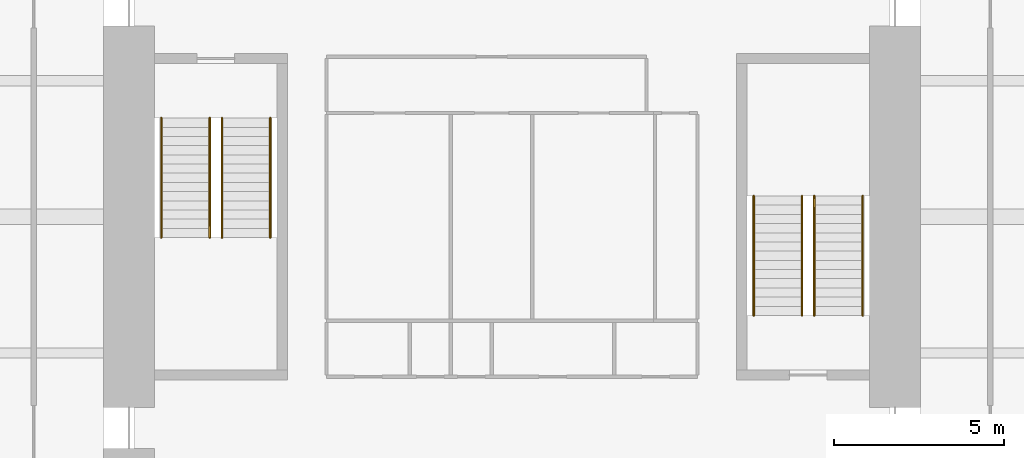
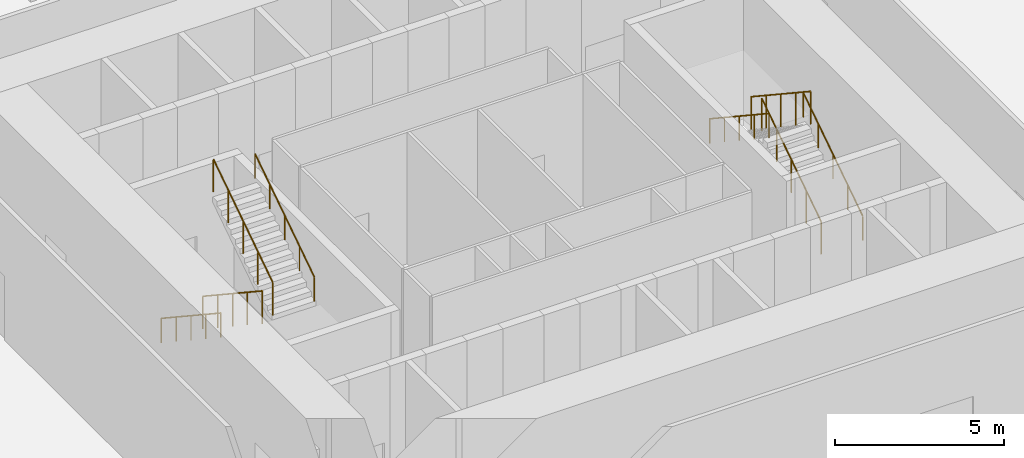
# One storey, part 9 of 9: 8 railings.
"""IFC4 building model written with IfcOpenShell, lengths in metres."""

import ifcopenshell
import ifcopenshell.guid

model = None  # the IFC model being written
_history = None  # IfcOwnerHistory: only IFC2X3 demands one
_inside = {}  # id of a spatial element -> (the spatial element, [elements in it])
_under = {}  # id of a project, library or spatial element -> (it, [spatial elements below it])
_declared = {}  # id of a project -> (the project, [libraries it declares])
_typed = {}  # id of a type object -> (the type object, [elements of that type])
_made_of = {}  # id of a material, layer set ... -> (it, [elements and type objects made of it])


def new_model(schema):
    """Start an empty IFC model of exactly this schema.

    Asked for "IFC4X3", IfcOpenShell would pick the latest addendum, in which some entities
    have other attributes; the version numbers below select the first issue.
    IFC2X3 requires an IfcOwnerHistory on every rooted entity: one is made here for all.
    """
    global model, _history
    if schema == "IFC4X3":
        model = ifcopenshell.file(schema_version=(4, 3, 0, 0))
    else:
        model = ifcopenshell.file(schema=schema)
    _inside.clear()
    _under.clear()
    _declared.clear()
    _typed.clear()
    _made_of.clear()
    _history = None
    if model.schema == "IFC2X3":
        org = make("IfcOrganization", Name="unknown")
        user = make(
            "IfcPersonAndOrganization",
            ThePerson=make("IfcPerson", FamilyName="unknown"),
            TheOrganization=org,
        )
        app = make(
            "IfcApplication",
            ApplicationDeveloper=org,
            Version="unknown",
            ApplicationFullName="unknown",
            ApplicationIdentifier="unknown",
        )
        _history = make(
            "IfcOwnerHistory",
            OwningUser=user,
            OwningApplication=app,
            ChangeAction="ADDED",
            CreationDate=0,
        )
    return model


def make(cls, **values):
    """One entity of the class cls with the attributes given. An attribute that is None is left unset."""
    return model.create_entity(
        cls, **{name: value for name, value in values.items() if value is not None}
    )


def rooted(cls, **values):
    """An entity with a GlobalId (a new one), such as an element, a storey or a relation."""
    return make(cls, GlobalId=ifcopenshell.guid.new(), OwnerHistory=_history, **values)


def si_unit(unit_type, name, prefix=None):
    """IfcSIUnit, for example si_unit("LENGTHUNIT", "METRE", prefix="MILLI")."""
    return make("IfcSIUnit", UnitType=unit_type, Prefix=prefix, Name=name)


def assignment(units):
    """IfcUnitAssignment: the units of a project."""
    return None if units is None else make("IfcUnitAssignment", Units=units)


def point(xyz):
    """IfcCartesianPoint."""
    return None if xyz is None else make("IfcCartesianPoint", Coordinates=xyz)


def direction(xyz):
    """IfcDirection."""
    return None if xyz is None else make("IfcDirection", DirectionRatios=xyz)


def frame(location, z_axis=None, x_axis=None):
    """IfcAxis2Placement3D, a coordinate frame: its origin and axes. An axis left out is left unset."""
    return make(
        "IfcAxis2Placement3D",
        Location=point(location),
        Axis=direction(z_axis),
        RefDirection=direction(x_axis),
    )


def frame_2d(location, x_axis=None):
    """IfcAxis2Placement2D, a coordinate frame in the plane: its origin and x axis."""
    return make(
        "IfcAxis2Placement2D", Location=point(location), RefDirection=direction(x_axis)
    )


def origin():
    """The frame at (0, 0, 0) with its axes left unset."""
    return frame((0.0, 0.0, 0.0))


def origin_2d():
    """The frame at (0, 0) in the plane with its x axis left unset."""
    return frame_2d((0.0, 0.0))


def place(relative_to, where):
    """IfcLocalPlacement: puts the frame where relative to a parent placement (None: the world)."""
    return make(
        "IfcLocalPlacement", PlacementRelTo=relative_to, RelativePlacement=where
    )


def context(
    kind, dimensions, precision=None, world=None, true_north=None, identifier=None
):
    """IfcGeometricRepresentationContext, for example the 3D "Model" context."""
    return make(
        "IfcGeometricRepresentationContext",
        ContextIdentifier=identifier,
        ContextType=kind,
        CoordinateSpaceDimension=dimensions,
        Precision=precision,
        WorldCoordinateSystem=world,
        TrueNorth=true_north,
    )


def subcontext(parent, identifier, kind, view, scale=None):
    """IfcGeometricRepresentationSubContext, for example "Body" below "Model"."""
    return make(
        "IfcGeometricRepresentationSubContext",
        ContextIdentifier=identifier,
        ContextType=kind,
        ParentContext=parent,
        TargetScale=scale,
        TargetView=view,
    )


def project(units=None, contexts=None):
    """IfcProject with its units and contexts."""
    return rooted(
        "IfcProject",
        Name="project",
        RepresentationContexts=contexts,
        UnitsInContext=assignment(units),
    )


def spatial(cls, under=None, at=None, **own):
    """A site, building, storey or space (cls), placed at a placement, below another one or the project."""
    s = rooted(cls, ObjectPlacement=at, **own)
    if under is not None:
        _under.setdefault(under.id(), (under, []))[1].append(s)
    return s


def profile(cls, at=None, kind="AREA", **sizes):
    """A parametric profile (cls). Its sizes go by their IFC names, for example OverallWidth=200.0."""
    return make(cls, ProfileType=kind, Position=at, **sizes)


def circle(**sizes):
    """IfcCircleProfileDef."""
    return profile("IfcCircleProfileDef", **sizes)


def extrude(swept, where, along, depth):
    """IfcExtrudedAreaSolid: the profile swept, set in the frame where, extruded along a direction by depth."""
    return make(
        "IfcExtrudedAreaSolid",
        SweptArea=swept,
        Position=where,
        ExtrudedDirection=direction(along),
        Depth=depth,
    )


def shape(context_of_items, identifier, shape_type, items):
    """IfcShapeRepresentation: the items that make up one representation, for example the "Body"."""
    return make(
        "IfcShapeRepresentation",
        ContextOfItems=context_of_items,
        RepresentationIdentifier=identifier,
        RepresentationType=shape_type,
        Items=items,
    )


def material(Name=None, Category=None):
    """IfcMaterial."""
    return make("IfcMaterial", Name=Name, Category=Category)


def made_of(thing, what):
    """Note that an element or type object is made of a material, layer set ...; save() writes the relation."""
    if what is not None:
        _made_of.setdefault(what.id(), (what, []))[1].append(thing)
    return thing


def type_object(cls, material=None, **own):
    """A type object (cls), such as IfcWallType, which elements share."""
    return made_of(rooted(cls, **own), material)


def element(
    cls,
    number,
    at=None,
    inside=None,
    cuts=None,
    type_object=None,
    material=None,
    context=None,
    identifier="Body",
    shape_type=None,
    held_by="IfcProductDefinitionShape",
    body=None,
    shapes=None,
    **own,
):
    """One element of the class cls, such as IfcWall. Its Tag is "e" and its number.

    at: its placement. inside: the storey or other place that contains it. cuts: it is an
    opening in that element (IfcRelVoidsElement). A single representation is given by context,
    identifier, shape_type and body (its items); several are given by shapes. held_by: the class
    of the entity that holds the representations. save() writes the other relations.
    """
    e = rooted(cls, Tag="e%d" % number, ObjectPlacement=at, **own)
    if body is not None:
        shapes = [shape(context, identifier, shape_type, body)]
    if shapes is not None:
        e.Representation = make(held_by, Representations=shapes)
    if inside is not None:
        _inside.setdefault(inside.id(), (inside, []))[1].append(e)
    if cuts is not None:
        rooted(
            "IfcRelVoidsElement", RelatingBuildingElement=cuts, RelatedOpeningElement=e
        )
    if type_object is not None:
        _typed.setdefault(type_object.id(), (type_object, []))[1].append(e)
    return made_of(e, material)


def aggregate(whole, parts):
    """IfcRelAggregates: a whole, such as a stair, and the parts it consists of."""
    return rooted("IfcRelAggregates", RelatingObject=whole, RelatedObjects=parts)


def save(model, path):
    """Write the relations noted so far, then the file.

    IfcRelAggregates (storeys below a building ...), IfcRelContainedInSpatialStructure (elements
    in a storey), IfcRelDefinesByType, IfcRelAssociatesMaterial and IfcRelDeclares: one each for
    every whole, place, type object, material and project.
    """
    for whole, parts in _under.values():
        aggregate(whole, parts)
    for where, things in _inside.values():
        rooted(
            "IfcRelContainedInSpatialStructure",
            RelatedElements=things,
            RelatingStructure=where,
        )
    for kind, things in _typed.values():
        rooted("IfcRelDefinesByType", RelatedObjects=things, RelatingType=kind)
    for what, things in _made_of.values():
        rooted("IfcRelAssociatesMaterial", RelatedObjects=things, RelatingMaterial=what)
    for by, libraries in _declared.values():
        rooted("IfcRelDeclares", RelatingContext=by, RelatedDefinitions=libraries)
    model.write(path)


model = new_model("IFC4")

# Units and contexts
model_context = context("Model", 3, precision=1e-05, world=origin(), true_north=direction((0.0, 1.0)))
body_context = subcontext(model_context, "Body", "Model", "MODEL_VIEW")
ifc_project = project(units=[si_unit("LENGTHUNIT", "METRE"), si_unit("AREAUNIT", "SQUARE_METRE"), si_unit("VOLUMEUNIT", "CUBIC_METRE"), si_unit("PLANEANGLEUNIT", "RADIAN"), si_unit("MASSUNIT", "GRAM", prefix="KILO")], contexts=[model_context])

# Site, building, storey
site_placement = place(None, origin())
site = spatial("IfcSite", under=ifc_project, at=site_placement, CompositionType="ELEMENT")
building_placement = place(site_placement, origin())
building = spatial("IfcBuilding", under=site, at=building_placement, Name="Peilmerk Tower", CompositionType="ELEMENT")
storey_placement = place(building_placement, frame((0.0, 0.0, 81.0)))
storey = spatial("IfcBuildingStorey", under=building, at=storey_placement, Name="L15", CompositionType="ELEMENT", Elevation=81.0)

# Railings
ifc_material_1 = material(Name="Steel flat bar balustrade", Category="steel")
railing_type_1 = type_object("IfcRailingType", Name="GR1 1200 stair guard", PredefinedType="GUARDRAIL", material=ifc_material_1)
railing_1_placement = place(storey_placement, frame((-8.8798828125, 2.89990234375, 0.178466796875)))
element("IfcRailing", 1, at=railing_1_placement, inside=storey, type_object=railing_type_1, Name="Guard stair 1 L15", PredefinedType="GUARDRAIL", context=body_context, shape_type="SweptSolid", body=[
    extrude(circle(Radius=0.02392578125, at=origin_2d()), frame((0.0, 0.0, 1.17578125), z_axis=(0.0, -0.834070780157, 0.551657442339), x_axis=(1.0, 0.0, 0.0)), (0.0, 0.0, 1.0), 4.208251953125),
    extrude(circle(Radius=0.02099609375, at=origin_2d()), origin(), (0.0, 0.0, 1.0), 1.15185546875),
    extrude(circle(Radius=0.02099609375, at=origin_2d()), frame((0.0, -0.87744140625, 0.580322265625)), (0.0, 0.0, 1.0), 1.15185546875),
    extrude(circle(Radius=0.02099609375, at=origin_2d()), frame((0.0, -1.7548828125, 1.16064453125)), (0.0, 0.0, 1.0), 1.15185546875),
    extrude(circle(Radius=0.02099609375, at=origin_2d()), frame((0.0, -2.632568359375, 1.7412109375)), (0.0, 0.0, 1.0), 1.15185546875),
    extrude(circle(Radius=0.02099609375, at=origin_2d()), frame((0.0, -3.510009765625, 2.321533203125)), (0.0, 0.0, 1.0), 1.15185546875),
])
for number, where, name in (
    (2, (-8.52001953125, -0.610107421875, 2.678466796875), "Guard stair 1 L15"),
    (3, (8.8798828125, -2.89990234375, 0.178466796875), "Guard stair 2 L15"),
):
    element("IfcRailing", number, at=place(storey_placement, frame(where)), inside=storey, type_object=railing_type_1, Name=name, PredefinedType="GUARDRAIL", context=body_context, shape_type="SweptSolid", body=[
        extrude(circle(Radius=0.02392578125, at=origin_2d()), frame((0.0, 0.0, 1.17578125), z_axis=(0.0, 0.834070780157, 0.551657442339), x_axis=(-1.0, 0.0, 0.0)), (0.0, 0.0, 1.0), 4.208251953125),
        extrude(circle(Radius=0.02099609375, at=origin_2d()), origin(), (0.0, 0.0, 1.0), 1.15185546875),
        extrude(circle(Radius=0.02099609375, at=origin_2d()), frame((0.0, 0.87744140625, 0.580322265625)), (0.0, 0.0, 1.0), 1.15185546875),
        extrude(circle(Radius=0.02099609375, at=origin_2d()), frame((0.0, 1.7548828125, 1.16064453125)), (0.0, 0.0, 1.0), 1.15185546875),
        extrude(circle(Radius=0.02099609375, at=origin_2d()), frame((0.0, 2.632568359375, 1.7412109375)), (0.0, 0.0, 1.0), 1.15185546875),
        extrude(circle(Radius=0.02099609375, at=origin_2d()), frame((0.0, 3.510009765625, 2.321533203125)), (0.0, 0.0, 1.0), 1.15185546875),
    ])
railing_2_placement = place(storey_placement, frame((8.52001953125, 0.610107421875, 2.678466796875)))
element("IfcRailing", 4, at=railing_2_placement, inside=storey, type_object=railing_type_1, Name="Guard stair 2 L15", PredefinedType="GUARDRAIL", context=body_context, shape_type="SweptSolid", body=[
    extrude(circle(Radius=0.02392578125, at=origin_2d()), frame((0.0, 0.0, 1.17578125), z_axis=(0.0, -0.834070780157, 0.551657442339), x_axis=(1.0, 0.0, 0.0)), (0.0, 0.0, 1.0), 4.208251953125),
    extrude(circle(Radius=0.02099609375, at=origin_2d()), origin(), (0.0, 0.0, 1.0), 1.15185546875),
    extrude(circle(Radius=0.02099609375, at=origin_2d()), frame((0.0, -0.87744140625, 0.580322265625)), (0.0, 0.0, 1.0), 1.15185546875),
    extrude(circle(Radius=0.02099609375, at=origin_2d()), frame((0.0, -1.7548828125, 1.16064453125)), (0.0, 0.0, 1.0), 1.15185546875),
    extrude(circle(Radius=0.02099609375, at=origin_2d()), frame((0.0, -2.632568359375, 1.7412109375)), (0.0, 0.0, 1.0), 1.15185546875),
    extrude(circle(Radius=0.02099609375, at=origin_2d()), frame((0.0, -3.510009765625, 2.321533203125)), (0.0, 0.0, 1.0), 1.15185546875),
])
ifc_material_2 = material(Name="Stainless steel tube", Category="steel")
railing_type_2 = type_object("IfcRailingType", Name="HR1 900 stair handrail", PredefinedType="HANDRAIL", material=ifc_material_2)
railing_3_placement = place(storey_placement, frame((-10.300048828125, 2.89990234375, 0.178466796875)))
element("IfcRailing", 5, at=railing_3_placement, inside=storey, type_object=railing_type_2, Name="Handrail stair 1 L15", PredefinedType="HANDRAIL", context=body_context, shape_type="SweptSolid", body=[
    extrude(circle(Radius=0.02392578125, at=origin_2d()), frame((0.0, 0.0, 0.8759765625), z_axis=(0.0, -0.834070780157, 0.551657442339), x_axis=(1.0, 0.0, 0.0)), (0.0, 0.0, 1.0), 4.208251953125),
    extrude(circle(Radius=0.02099609375, at=origin_2d()), origin(), (0.0, 0.0, 1.0), 0.851806640625),
    extrude(circle(Radius=0.02099609375, at=origin_2d()), frame((0.0, -0.87744140625, 0.580322265625)), (0.0, 0.0, 1.0), 0.851806640625),
    extrude(circle(Radius=0.02099609375, at=origin_2d()), frame((0.0, -1.7548828125, 1.16064453125)), (0.0, 0.0, 1.0), 0.851806640625),
    extrude(circle(Radius=0.02099609375, at=origin_2d()), frame((0.0, -2.632568359375, 1.7412109375)), (0.0, 0.0, 1.0), 0.851806640625),
    extrude(circle(Radius=0.02099609375, at=origin_2d()), frame((0.0, -3.510009765625, 2.321533203125)), (0.0, 0.0, 1.0), 0.851806640625),
])
for number, where, name in (
    (6, (-7.10009765625, -0.610107421875, 2.678466796875), "Handrail stair 1 L15"),
    (7, (10.300048828125, -2.89990234375, 0.178466796875), "Handrail stair 2 L15"),
):
    element("IfcRailing", number, at=place(storey_placement, frame(where)), inside=storey, type_object=railing_type_2, Name=name, PredefinedType="HANDRAIL", context=body_context, shape_type="SweptSolid", body=[
        extrude(circle(Radius=0.02392578125, at=origin_2d()), frame((0.0, 0.0, 0.8759765625), z_axis=(0.0, 0.834070780157, 0.551657442339), x_axis=(-1.0, 0.0, 0.0)), (0.0, 0.0, 1.0), 4.208251953125),
        extrude(circle(Radius=0.02099609375, at=origin_2d()), origin(), (0.0, 0.0, 1.0), 0.851806640625),
        extrude(circle(Radius=0.02099609375, at=origin_2d()), frame((0.0, 0.87744140625, 0.580322265625)), (0.0, 0.0, 1.0), 0.851806640625),
        extrude(circle(Radius=0.02099609375, at=origin_2d()), frame((0.0, 1.7548828125, 1.16064453125)), (0.0, 0.0, 1.0), 0.851806640625),
        extrude(circle(Radius=0.02099609375, at=origin_2d()), frame((0.0, 2.632568359375, 1.7412109375)), (0.0, 0.0, 1.0), 0.851806640625),
        extrude(circle(Radius=0.02099609375, at=origin_2d()), frame((0.0, 3.510009765625, 2.321533203125)), (0.0, 0.0, 1.0), 0.851806640625),
    ])
railing_4_placement = place(storey_placement, frame((7.10009765625, 0.610107421875, 2.678466796875)))
element("IfcRailing", 8, at=railing_4_placement, inside=storey, type_object=railing_type_2, Name="Handrail stair 2 L15", PredefinedType="HANDRAIL", context=body_context, shape_type="SweptSolid", body=[
    extrude(circle(Radius=0.02392578125, at=origin_2d()), frame((0.0, 0.0, 0.8759765625), z_axis=(0.0, -0.834070780157, 0.551657442339), x_axis=(1.0, 0.0, 0.0)), (0.0, 0.0, 1.0), 4.208251953125),
    extrude(circle(Radius=0.02099609375, at=origin_2d()), origin(), (0.0, 0.0, 1.0), 0.851806640625),
    extrude(circle(Radius=0.02099609375, at=origin_2d()), frame((0.0, -0.87744140625, 0.580322265625)), (0.0, 0.0, 1.0), 0.851806640625),
    extrude(circle(Radius=0.02099609375, at=origin_2d()), frame((0.0, -1.7548828125, 1.16064453125)), (0.0, 0.0, 1.0), 0.851806640625),
    extrude(circle(Radius=0.02099609375, at=origin_2d()), frame((0.0, -2.632568359375, 1.7412109375)), (0.0, 0.0, 1.0), 0.851806640625),
    extrude(circle(Radius=0.02099609375, at=origin_2d()), frame((0.0, -3.510009765625, 2.321533203125)), (0.0, 0.0, 1.0), 0.851806640625),
])

save(model, "model.ifc")
